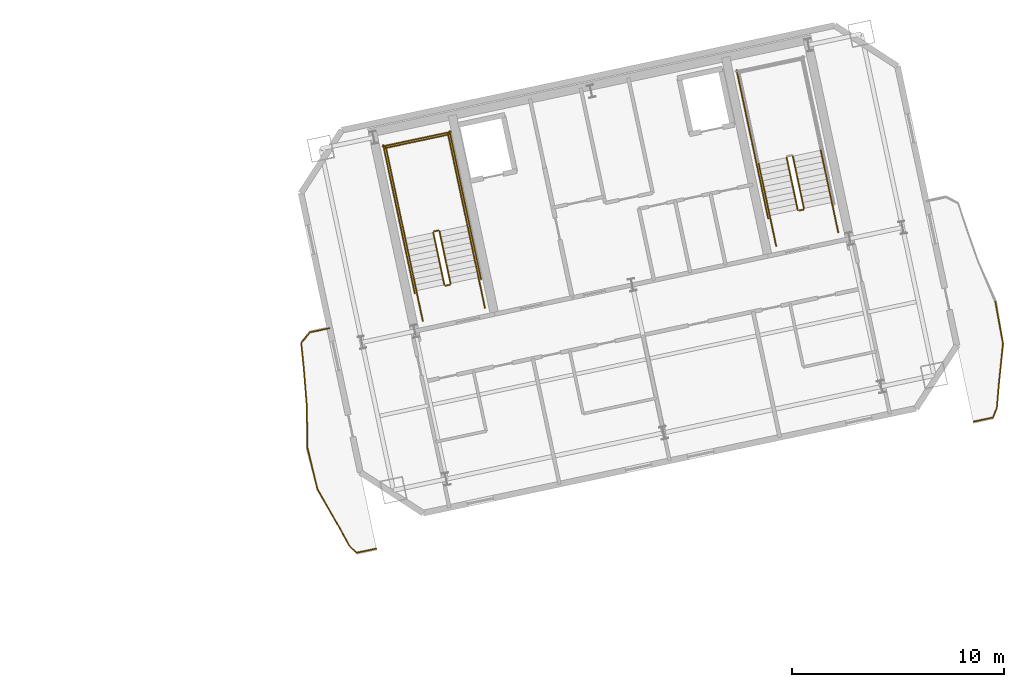
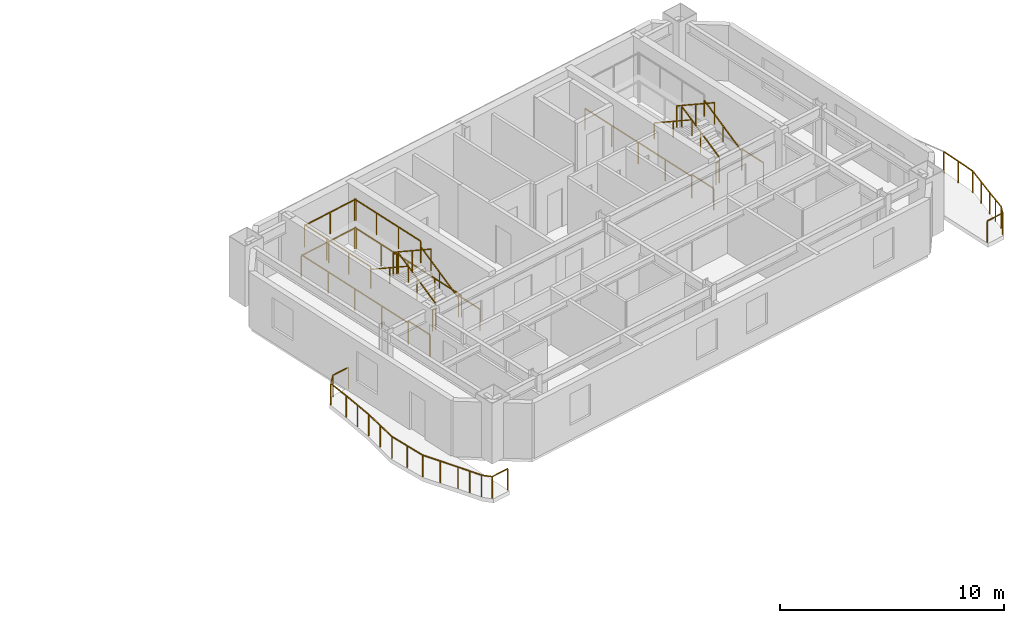
# One storey, part 12 of 13: 37 railings.
"""IFC4 building model written with IfcOpenShell, lengths in metres."""

from ifc_helpers import new_model, si_unit, direction, frame, origin, origin_2d, place, context, subcontext, project, spatial, rectangle, extrude, material, type_object, element, save


model = new_model("IFC4")

# Units and contexts
model_context = context("Model", 3, precision=1e-05, world=origin(), true_north=direction((0.0, 1.0)))
body_context = subcontext(model_context, "Body", "Model", "MODEL_VIEW")
ifc_project = project(units=[si_unit("LENGTHUNIT", "METRE"), si_unit("AREAUNIT", "SQUARE_METRE"), si_unit("VOLUMEUNIT", "CUBIC_METRE"), si_unit("PLANEANGLEUNIT", "RADIAN"), si_unit("MASSUNIT", "GRAM", prefix="KILO")], contexts=[model_context])

# Site, building, storey
site_placement = place(None, origin())
site = spatial("IfcSite", under=ifc_project, at=site_placement, CompositionType="ELEMENT")
building_placement = place(site_placement, origin())
building = spatial("IfcBuilding", under=site, at=building_placement, Name="Haevon Station Towers", CompositionType="ELEMENT")
storey_placement = place(building_placement, frame((0.0, 0.0, 222.0)))
storey = spatial("IfcBuildingStorey", under=building, at=storey_placement, Name="L61", CompositionType="ELEMENT", Elevation=222.0)

# Railings
ifc_material = material(Name="Steel S355", Category="steel")
railing_type_1 = type_object("IfcRailingType", Name="GRD-EXT1200", PredefinedType="GUARDRAIL", material=ifc_material)
railing_1_placement = place(storey_placement, frame((94.71142578125, 37.58251953125, 0.0)))
element("IfcRailing", 1, at=railing_1_placement, inside=storey, type_object=railing_type_1, Name="L61 Perimeter Guardrail 1", PredefinedType="GUARDRAIL", context=body_context, shape_type="SweptSolid", body=[
    extrude(rectangle(XDim=0.048095703125, YDim=0.048095703125, at=origin_2d()), frame((0.0, 0.0, 1.17578125), z_axis=(-0.977684892297, -0.210076774952, 0.0), x_axis=(0.210076774952, -0.977684892297, 0.0)), (0.0, 0.0, 1.0), 0.943603515625),
    extrude(rectangle(XDim=0.0419921875, YDim=0.0419921875, at=origin_2d()), origin(), (0.0, 0.0, 1.0), 1.15185546875),
    extrude(rectangle(XDim=0.0419921875, YDim=0.0419921875, at=origin_2d()), frame((-0.922607421875, -0.1982421875, 0.0)), (0.0, 0.0, 1.0), 1.15185546875),
])
railing_2_placement = place(storey_placement, frame((93.788818359375, 37.38427734375, 0.0)))
element("IfcRailing", 2, at=railing_2_placement, inside=storey, type_object=railing_type_1, Name="L61 Perimeter Guardrail 2", PredefinedType="GUARDRAIL", context=body_context, shape_type="SweptSolid", body=[
    extrude(rectangle(XDim=0.048095703125, YDim=0.048095703125, at=origin_2d()), frame((0.0, 0.0, 1.17578125), z_axis=(-0.622202546772, -0.782856302773, 0.0), x_axis=(0.782856302773, -0.622202546772, 0.0)), (0.0, 0.0, 1.0), 0.645751953125),
    extrude(rectangle(XDim=0.0419921875, YDim=0.0419921875, at=origin_2d()), origin(), (0.0, 0.0, 1.0), 1.15185546875),
    extrude(rectangle(XDim=0.0419921875, YDim=0.0419921875, at=origin_2d()), frame((-0.40185546875, -0.505615234375, 0.0)), (0.0, 0.0, 1.0), 1.15185546875),
])
railing_3_placement = place(storey_placement, frame((93.386962890625, 36.878662109375, 0.0)))
element("IfcRailing", 3, at=railing_3_placement, inside=storey, type_object=railing_type_1, Name="L61 Perimeter Guardrail 3", PredefinedType="GUARDRAIL", context=body_context, shape_type="SweptSolid", body=[
    extrude(rectangle(XDim=0.048095703125, YDim=0.048095703125, at=origin_2d()), frame((0.0, 0.0, 1.17578125), z_axis=(0.100776535208, -0.994909086274, 0.0), x_axis=(0.994909086274, 0.100776535208, 0.0)), (0.0, 0.0, 1.0), 1.177490234375),
    extrude(rectangle(XDim=0.0419921875, YDim=0.0419921875, at=origin_2d()), origin(), (0.0, 0.0, 1.0), 1.15185546875),
    extrude(rectangle(XDim=0.0419921875, YDim=0.0419921875, at=origin_2d()), frame((0.11865234375, -1.17138671875, 0.0)), (0.0, 0.0, 1.0), 1.15185546875),
])
railing_4_placement = place(storey_placement, frame((93.505615234375, 35.707275390625, 0.0)))
element("IfcRailing", 4, at=railing_4_placement, inside=storey, type_object=railing_type_1, Name="L61 Perimeter Guardrail 4", PredefinedType="GUARDRAIL", context=body_context, shape_type="SweptSolid", body=[
    extrude(rectangle(XDim=0.048095703125, YDim=0.048095703125, at=origin_2d()), frame((0.0, 0.0, 1.17578125), z_axis=(0.080262223302, -0.996773783519, 0.0), x_axis=(0.996773783519, 0.080262223302, 0.0)), (0.0, 0.0, 1.0), 1.76416015625),
    extrude(rectangle(XDim=0.0419921875, YDim=0.0419921875, at=origin_2d()), origin(), (0.0, 0.0, 1.0), 1.15185546875),
    extrude(rectangle(XDim=0.0419921875, YDim=0.0419921875, at=origin_2d()), frame((0.07080078125, -0.87939453125, 0.0)), (0.0, 0.0, 1.0), 1.15185546875),
    extrude(rectangle(XDim=0.0419921875, YDim=0.0419921875, at=origin_2d()), frame((0.1416015625, -1.758544921875, 0.0)), (0.0, 0.0, 1.0), 1.15185546875),
])
railing_5_placement = place(storey_placement, frame((93.647216796875, 33.94873046875, 0.0)))
element("IfcRailing", 5, at=railing_5_placement, inside=storey, type_object=railing_type_1, Name="L61 Perimeter Guardrail 5", PredefinedType="GUARDRAIL", context=body_context, shape_type="SweptSolid", body=[
    extrude(rectangle(XDim=0.048095703125, YDim=0.048095703125, at=origin_2d()), frame((0.0, 0.0, 1.17578125), z_axis=(0.018557729268, -0.999827790514, 0.0), x_axis=(0.999827790514, 0.018557729268, 0.0)), (0.0, 0.0, 1.0), 2.02587890625),
    extrude(rectangle(XDim=0.0419921875, YDim=0.0419921875, at=origin_2d()), origin(), (0.0, 0.0, 1.0), 1.15185546875),
    extrude(rectangle(XDim=0.0419921875, YDim=0.0419921875, at=origin_2d()), frame((0.018798828125, -1.0126953125, 0.0)), (0.0, 0.0, 1.0), 1.15185546875),
    extrude(rectangle(XDim=0.0419921875, YDim=0.0419921875, at=origin_2d()), frame((0.03759765625, -2.025634765625, 0.0)), (0.0, 0.0, 1.0), 1.15185546875),
])
railing_6_placement = place(storey_placement, frame((93.684814453125, 31.923095703125, 0.0)))
element("IfcRailing", 6, at=railing_6_placement, inside=storey, type_object=railing_type_1, Name="L61 Perimeter Guardrail 6", PredefinedType="GUARDRAIL", context=body_context, shape_type="SweptSolid", body=[
    extrude(rectangle(XDim=0.048095703125, YDim=0.048095703125, at=origin_2d()), frame((0.0, 0.0, 1.17578125), z_axis=(0.233535058553, -0.972348382231, 0.0), x_axis=(0.972348382231, 0.233535058553, 0.0)), (0.0, 0.0, 1.0), 1.99365234375),
    extrude(rectangle(XDim=0.0419921875, YDim=0.0419921875, at=origin_2d()), origin(), (0.0, 0.0, 1.0), 1.15185546875),
    extrude(rectangle(XDim=0.0419921875, YDim=0.0419921875, at=origin_2d()), frame((0.23291015625, -0.96923828125, 0.0)), (0.0, 0.0, 1.0), 1.15185546875),
    extrude(rectangle(XDim=0.0419921875, YDim=0.0419921875, at=origin_2d()), frame((0.465576171875, -1.9384765625, 0.0)), (0.0, 0.0, 1.0), 1.15185546875),
])
railing_7_placement = place(storey_placement, frame((94.150390625, 29.984619140625, 0.0)))
element("IfcRailing", 7, at=railing_7_placement, inside=storey, type_object=railing_type_1, Name="L61 Perimeter Guardrail 7", PredefinedType="GUARDRAIL", context=body_context, shape_type="SweptSolid", body=[
    extrude(rectangle(XDim=0.048095703125, YDim=0.048095703125, at=origin_2d()), frame((0.0, 0.0, 1.17578125), z_axis=(0.4963827509, -0.868103775253, 0.0), x_axis=(0.868103775253, 0.4963827509, 0.0)), (0.0, 0.0, 1.0), 1.8330078125),
    extrude(rectangle(XDim=0.0419921875, YDim=0.0419921875, at=origin_2d()), origin(), (0.0, 0.0, 1.0), 1.15185546875),
    extrude(rectangle(XDim=0.0419921875, YDim=0.0419921875, at=origin_2d()), frame((0.455078125, -0.795654296875, 0.0)), (0.0, 0.0, 1.0), 1.15185546875),
    extrude(rectangle(XDim=0.0419921875, YDim=0.0419921875, at=origin_2d()), frame((0.909912109375, -1.59130859375, 0.0)), (0.0, 0.0, 1.0), 1.15185546875),
])
railing_8_placement = place(storey_placement, frame((95.060302734375, 28.393310546875, 0.0)))
element("IfcRailing", 8, at=railing_8_placement, inside=storey, type_object=railing_type_1, Name="L61 Perimeter Guardrail 8", PredefinedType="GUARDRAIL", context=body_context, shape_type="SweptSolid", body=[
    extrude(rectangle(XDim=0.048095703125, YDim=0.048095703125, at=origin_2d()), frame((0.0, 0.0, 1.17578125), z_axis=(0.482248336261, -0.876034555353, 0.0), x_axis=(0.876034555353, 0.482248336261, 0.0)), (0.0, 0.0, 1.0), 1.22265625),
    extrude(rectangle(XDim=0.0419921875, YDim=0.0419921875, at=origin_2d()), origin(), (0.0, 0.0, 1.0), 1.15185546875),
    extrude(rectangle(XDim=0.0419921875, YDim=0.0419921875, at=origin_2d()), frame((0.294921875, -0.53564453125, 0.0)), (0.0, 0.0, 1.0), 1.15185546875),
    extrude(rectangle(XDim=0.0419921875, YDim=0.0419921875, at=origin_2d()), frame((0.589599609375, -1.071044921875, 0.0)), (0.0, 0.0, 1.0), 1.15185546875),
])
railing_9_placement = place(storey_placement, frame((95.64990234375, 27.322265625, 0.0)))
element("IfcRailing", 9, at=railing_9_placement, inside=storey, type_object=railing_type_1, Name="L61 Perimeter Guardrail 9", PredefinedType="GUARDRAIL", context=body_context, shape_type="SweptSolid", body=[
    extrude(rectangle(XDim=0.048095703125, YDim=0.048095703125, at=origin_2d()), frame((0.0, 0.0, 1.17578125), z_axis=(0.712536329819, -0.70163521768, 0.0), x_axis=(0.70163521768, 0.712536329819, 0.0)), (0.0, 0.0, 1.0), 0.49267578125),
    extrude(rectangle(XDim=0.0419921875, YDim=0.0419921875, at=origin_2d()), origin(), (0.0, 0.0, 1.0), 1.15185546875),
    extrude(rectangle(XDim=0.0419921875, YDim=0.0419921875, at=origin_2d()), frame((0.35107421875, -0.345703125, 0.0)), (0.0, 0.0, 1.0), 1.15185546875),
])
railing_10_placement = place(storey_placement, frame((96.0009765625, 26.9765625, 0.0)))
element("IfcRailing", 10, at=railing_10_placement, inside=storey, type_object=railing_type_1, Name="L61 Perimeter Guardrail 10", PredefinedType="GUARDRAIL", context=body_context, shape_type="SweptSolid", body=[
    extrude(rectangle(XDim=0.048095703125, YDim=0.048095703125, at=origin_2d()), frame((0.0, 0.0, 1.17578125), z_axis=(0.97862382912, 0.205658457349, 0.0), x_axis=(-0.205658457349, 0.97862382912, 0.0)), (0.0, 0.0, 1.0), 0.94384765625),
    extrude(rectangle(XDim=0.0419921875, YDim=0.0419921875, at=origin_2d()), origin(), (0.0, 0.0, 1.0), 1.15185546875),
    extrude(rectangle(XDim=0.0419921875, YDim=0.0419921875, at=origin_2d()), frame((0.923583984375, 0.194091796875, 0.0)), (0.0, 0.0, 1.0), 1.15185546875),
])
railing_11_placement = place(storey_placement, frame((125.14111328125, 33.16845703125, 0.0)))
element("IfcRailing", 11, at=railing_11_placement, inside=storey, type_object=railing_type_1, Name="L61 Perimeter Guardrail 1", PredefinedType="GUARDRAIL", context=body_context, shape_type="SweptSolid", body=[
    extrude(rectangle(XDim=0.048095703125, YDim=0.048095703125, at=origin_2d()), frame((0.0, 0.0, 1.17578125), z_axis=(0.97773800114, 0.209829457244, 0.0), x_axis=(-0.209829457244, 0.97773800114, 0.0)), (0.0, 0.0, 1.0), 0.943603515625),
    extrude(rectangle(XDim=0.0419921875, YDim=0.0419921875, at=origin_2d()), origin(), (0.0, 0.0, 1.0), 1.15185546875),
    extrude(rectangle(XDim=0.0419921875, YDim=0.0419921875, at=origin_2d()), frame((0.922607421875, 0.197998046875, 0.0)), (0.0, 0.0, 1.0), 1.15185546875),
])
railing_12_placement = place(storey_placement, frame((126.063720703125, 33.366455078125, 0.0)))
element("IfcRailing", 12, at=railing_12_placement, inside=storey, type_object=railing_type_1, Name="L61 Perimeter Guardrail 2", PredefinedType="GUARDRAIL", context=body_context, shape_type="SweptSolid", body=[
    extrude(rectangle(XDim=0.048095703125, YDim=0.048095703125, at=origin_2d()), frame((0.0, 0.0, 1.17578125), z_axis=(0.365575740895, 0.930781595042, 0.0), x_axis=(-0.930781595042, 0.365575740895, 0.0)), (0.0, 0.0, 1.0), 0.492919921875),
    extrude(rectangle(XDim=0.0419921875, YDim=0.0419921875, at=origin_2d()), origin(), (0.0, 0.0, 1.0), 1.15185546875),
    extrude(rectangle(XDim=0.0419921875, YDim=0.0419921875, at=origin_2d()), frame((0.18017578125, 0.458740234375, 0.0)), (0.0, 0.0, 1.0), 1.15185546875),
])
railing_13_placement = place(storey_placement, frame((126.243896484375, 33.8251953125, 0.0)))
element("IfcRailing", 13, at=railing_13_placement, inside=storey, type_object=railing_type_1, Name="L61 Perimeter Guardrail 3", PredefinedType="GUARDRAIL", context=body_context, shape_type="SweptSolid", body=[
    extrude(rectangle(XDim=0.048095703125, YDim=0.048095703125, at=origin_2d()), frame((0.0, 0.0, 1.17578125), z_axis=(0.084268334153, 0.996443098154, 0.0), x_axis=(-0.996443098154, 0.084268334153, 0.0)), (0.0, 0.0, 1.0), 1.22265625),
    extrude(rectangle(XDim=0.0419921875, YDim=0.0419921875, at=origin_2d()), origin(), (0.0, 0.0, 1.0), 1.15185546875),
    extrude(rectangle(XDim=0.0419921875, YDim=0.0419921875, at=origin_2d()), frame((0.051513671875, 0.609130859375, 0.0)), (0.0, 0.0, 1.0), 1.15185546875),
    extrude(rectangle(XDim=0.0419921875, YDim=0.0419921875, at=origin_2d()), frame((0.10302734375, 1.21826171875, 0.0)), (0.0, 0.0, 1.0), 1.15185546875),
])
railing_14_placement = place(storey_placement, frame((126.346923828125, 35.04345703125, 0.0)))
element("IfcRailing", 14, at=railing_14_placement, inside=storey, type_object=railing_type_1, Name="L61 Perimeter Guardrail 4", PredefinedType="GUARDRAIL", context=body_context, shape_type="SweptSolid", body=[
    extrude(rectangle(XDim=0.048095703125, YDim=0.048095703125, at=origin_2d()), frame((0.0, 0.0, 1.17578125), z_axis=(0.100426789268, 0.994944450709, 0.0), x_axis=(-0.994944450709, 0.100426789268, 0.0)), (0.0, 0.0, 1.0), 1.8330078125),
    extrude(rectangle(XDim=0.0419921875, YDim=0.0419921875, at=origin_2d()), origin(), (0.0, 0.0, 1.0), 1.15185546875),
    extrude(rectangle(XDim=0.0419921875, YDim=0.0419921875, at=origin_2d()), frame((0.092041015625, 0.911865234375, 0.0)), (0.0, 0.0, 1.0), 1.15185546875),
    extrude(rectangle(XDim=0.0419921875, YDim=0.0419921875, at=origin_2d()), frame((0.18408203125, 1.82373046875, 0.0)), (0.0, 0.0, 1.0), 1.15185546875),
])
railing_15_placement = place(storey_placement, frame((126.531005859375, 36.8671875, 0.0)))
element("IfcRailing", 15, at=railing_15_placement, inside=storey, type_object=railing_type_1, Name="L61 Perimeter Guardrail 5", PredefinedType="GUARDRAIL", context=body_context, shape_type="SweptSolid", body=[
    extrude(rectangle(XDim=0.048095703125, YDim=0.048095703125, at=origin_2d()), frame((0.0, 0.0, 1.17578125), z_axis=(-0.182084875325, 0.983282816985, 0.0), x_axis=(-0.983282816985, -0.182084875325, 0.0)), (0.0, 0.0, 1.0), 1.993896484375),
    extrude(rectangle(XDim=0.0419921875, YDim=0.0419921875, at=origin_2d()), origin(), (0.0, 0.0, 1.0), 1.15185546875),
    extrude(rectangle(XDim=0.0419921875, YDim=0.0419921875, at=origin_2d()), frame((-0.181640625, 0.980224609375, 0.0)), (0.0, 0.0, 1.0), 1.15185546875),
    extrude(rectangle(XDim=0.0419921875, YDim=0.0419921875, at=origin_2d()), frame((-0.363037109375, 1.96044921875, 0.0)), (0.0, 0.0, 1.0), 1.15185546875),
])
railing_type_2 = type_object("IfcRailingType", Name="GRD-STR1200", PredefinedType="GUARDRAIL", material=ifc_material)
railing_16_placement = place(storey_placement, frame((100.44140625, 39.69287109375, 0.1650390625)))
element("IfcRailing", 16, at=railing_16_placement, inside=storey, type_object=railing_type_2, Name="L61 ST3 Stair Guard 1", PredefinedType="GUARDRAIL", context=body_context, shape_type="SweptSolid", body=[
    extrude(rectangle(XDim=0.048095703125, YDim=0.048095703125, at=origin_2d()), frame((0.0, 0.0, 1.17578125), z_axis=(-0.179128856099, 0.842723639875, 0.507670877349), x_axis=(-0.978147030254, -0.207914374695, 0.0)), (0.0, 0.0, 1.0), 2.9248046875),
    extrude(rectangle(XDim=0.0419921875, YDim=0.0419921875, at=origin_2d()), origin(), (0.0, 0.0, 1.0), 1.15185546875),
    extrude(rectangle(XDim=0.0419921875, YDim=0.0419921875, at=origin_2d()), frame((-0.261962890625, 1.232421875, 0.742431640625)), (0.0, 0.0, 1.0), 1.15185546875),
    extrude(rectangle(XDim=0.0419921875, YDim=0.0419921875, at=origin_2d()), frame((-0.52392578125, 2.46484375, 1.48486328125)), (0.0, 0.0, 1.0), 1.15185546875),
])
railing_17_placement = place(storey_placement, frame((99.858154296875, 42.1962890625, 1.64990234375)))
element("IfcRailing", 17, at=railing_17_placement, inside=storey, type_object=railing_type_2, Name="L61 ST3 Stair Guard 2", PredefinedType="GUARDRAIL", context=body_context, shape_type="SweptSolid", body=[
    extrude(rectangle(XDim=0.048095703125, YDim=0.048095703125, at=origin_2d()), frame((0.0, 0.0, 1.17578125), z_axis=(-0.977962931203, -0.208778603291, 0.0), x_axis=(0.208778603291, -0.977962931203, 0.0)), (0.0, 0.0, 1.0), 0.199951171875),
    extrude(rectangle(XDim=0.0419921875, YDim=0.0419921875, at=origin_2d()), origin(), (0.0, 0.0, 1.0), 1.15185546875),
    extrude(rectangle(XDim=0.0419921875, YDim=0.0419921875, at=origin_2d()), frame((-0.195556640625, -0.041748046875, 0.0)), (0.0, 0.0, 1.0), 1.15185546875),
])
railing_18_placement = place(storey_placement, frame((101.238037109375, 42.4384765625, 1.64990234375)))
element("IfcRailing", 18, at=railing_18_placement, inside=storey, type_object=railing_type_2, Name="L61 ST3 Stair Guard 3", PredefinedType="GUARDRAIL", context=body_context, shape_type="SweptSolid", body=[
    extrude(rectangle(XDim=0.048095703125, YDim=0.048095703125, at=origin_2d()), frame((0.0, 0.0, 1.17578125), z_axis=(-0.20794048909, 0.978141479029, 0.0), x_axis=(-0.978141479029, -0.20794048909, 0.0)), (0.0, 0.0, 1.0), 4.429931640625),
    extrude(rectangle(XDim=0.0419921875, YDim=0.0419921875, at=origin_2d()), origin(), (0.0, 0.0, 1.0), 1.15185546875),
    extrude(rectangle(XDim=0.0419921875, YDim=0.0419921875, at=origin_2d()), frame((-0.30712890625, 1.4443359375, 0.0)), (0.0, 0.0, 1.0), 1.15185546875),
    extrude(rectangle(XDim=0.0419921875, YDim=0.0419921875, at=origin_2d()), frame((-0.614013671875, 2.888671875, 0.0)), (0.0, 0.0, 1.0), 1.15185546875),
    extrude(rectangle(XDim=0.0419921875, YDim=0.0419921875, at=origin_2d()), frame((-0.921142578125, 4.3330078125, 0.0)), (0.0, 0.0, 1.0), 1.15185546875),
])
railing_19_placement = place(storey_placement, frame((98.303466796875, 41.814697265625, 1.64990234375)))
element("IfcRailing", 19, at=railing_19_placement, inside=storey, type_object=railing_type_2, Name="L61 ST3 Stair Guard 4", PredefinedType="GUARDRAIL", context=body_context, shape_type="SweptSolid", body=[
    extrude(rectangle(XDim=0.048095703125, YDim=0.048095703125, at=origin_2d()), frame((0.0, 0.0, 1.17578125), z_axis=(-0.207876551949, 0.978155069071, 0.0), x_axis=(-0.978155069071, -0.207876551949, 0.0)), (0.0, 0.0, 1.0), 4.429931640625),
    extrude(rectangle(XDim=0.0419921875, YDim=0.0419921875, at=origin_2d()), origin(), (0.0, 0.0, 1.0), 1.15185546875),
    extrude(rectangle(XDim=0.0419921875, YDim=0.0419921875, at=origin_2d()), frame((-0.306884765625, 1.4443359375, 0.0)), (0.0, 0.0, 1.0), 1.15185546875),
    extrude(rectangle(XDim=0.0419921875, YDim=0.0419921875, at=origin_2d()), frame((-0.614013671875, 2.888916015625, 0.0)), (0.0, 0.0, 1.0), 1.15185546875),
    extrude(rectangle(XDim=0.0419921875, YDim=0.0419921875, at=origin_2d()), frame((-0.9208984375, 4.333251953125, 0.0)), (0.0, 0.0, 1.0), 1.15185546875),
])
railing_20_placement = place(storey_placement, frame((100.376220703125, 46.733154296875, 1.64990234375)))
element("IfcRailing", 20, at=railing_20_placement, inside=storey, type_object=railing_type_2, Name="L61 ST3 Stair Guard 5", PredefinedType="GUARDRAIL", context=body_context, shape_type="SweptSolid", body=[
    extrude(rectangle(XDim=0.048095703125, YDim=0.048095703125, at=origin_2d()), frame((0.0, 0.0, 1.17578125), z_axis=(-0.978146839882, -0.207915270313, 0.0), x_axis=(0.207915270313, -0.978146839882, 0.0)), (0.0, 0.0, 1.0), 3.099853515625),
    extrude(rectangle(XDim=0.0419921875, YDim=0.0419921875, at=origin_2d()), origin(), (0.0, 0.0, 1.0), 1.15185546875),
    extrude(rectangle(XDim=0.0419921875, YDim=0.0419921875, at=origin_2d()), frame((-1.51611328125, -0.322265625, 0.0)), (0.0, 0.0, 1.0), 1.15185546875),
    extrude(rectangle(XDim=0.0419921875, YDim=0.0419921875, at=origin_2d()), frame((-3.0322265625, -0.64453125, 0.0)), (0.0, 0.0, 1.0), 1.15185546875),
])
railing_21_placement = place(storey_placement, frame((99.6240234375, 42.09521484375, 1.81494140625)))
element("IfcRailing", 21, at=railing_21_placement, inside=storey, type_object=railing_type_2, Name="L61 ST3 Stair Guard 6", PredefinedType="GUARDRAIL", context=body_context, shape_type="SweptSolid", body=[
    extrude(rectangle(XDim=0.048095703125, YDim=0.048095703125, at=origin_2d()), frame((0.0, 0.0, 1.17578125), z_axis=(0.179121265225, -0.842687928106, 0.507732831485), x_axis=(0.978147030254, 0.207914374695, 0.0)), (0.0, 0.0, 1.0), 2.925048828125),
    extrude(rectangle(XDim=0.0419921875, YDim=0.0419921875, at=origin_2d()), origin(), (0.0, 0.0, 1.0), 1.15185546875),
    extrude(rectangle(XDim=0.0419921875, YDim=0.0419921875, at=origin_2d()), frame((0.261962890625, -1.232421875, 0.74267578125)), (0.0, 0.0, 1.0), 1.15185546875),
    extrude(rectangle(XDim=0.0419921875, YDim=0.0419921875, at=origin_2d()), frame((0.52392578125, -2.46484375, 1.485107421875)), (0.0, 0.0, 1.0), 1.15185546875),
])
railing_22_placement = place(storey_placement, frame((100.40283203125, 39.633544921875, 0.0)))
element("IfcRailing", 22, at=railing_22_placement, inside=storey, type_object=railing_type_2, Name="L61 ST3 Stair Guard 7", PredefinedType="GUARDRAIL", context=body_context, shape_type="SweptSolid", body=[
    extrude(rectangle(XDim=0.048095703125, YDim=0.048095703125, at=origin_2d()), frame((0.0, 0.0, 1.17578125), z_axis=(-0.977962931203, -0.208778603291, 0.0), x_axis=(0.208778603291, -0.977962931203, 0.0)), (0.0, 0.0, 1.0), 0.199951171875),
    extrude(rectangle(XDim=0.0419921875, YDim=0.0419921875, at=origin_2d()), origin(), (0.0, 0.0, 1.0), 1.15185546875),
    extrude(rectangle(XDim=0.0419921875, YDim=0.0419921875, at=origin_2d()), frame((-0.195556640625, -0.041748046875, 0.0)), (0.0, 0.0, 1.0), 1.15185546875),
])
for number, where, name in (
    (23, (102.0634765625, 38.55517578125, 0.0), "L61 ST3 Stair Guard 8"),
    (24, (99.12890625, 37.931396484375, 0.0), "L61 ST3 Stair Guard 9"),
):
    element("IfcRailing", number, at=place(storey_placement, frame(where)), inside=storey, type_object=railing_type_2, Name=name, PredefinedType="GUARDRAIL", context=body_context, shape_type="SweptSolid", body=[
        extrude(rectangle(XDim=0.048095703125, YDim=0.048095703125, at=origin_2d()), frame((0.0, 0.0, 1.17578125), z_axis=(-0.207953405961, 0.978138732977, 0.0), x_axis=(-0.978138732977, -0.207953405961, 0.0)), (0.0, 0.0, 1.0), 1.449951171875),
        extrude(rectangle(XDim=0.0419921875, YDim=0.0419921875, at=origin_2d()), origin(), (0.0, 0.0, 1.0), 1.15185546875),
        extrude(rectangle(XDim=0.0419921875, YDim=0.0419921875, at=origin_2d()), frame((-0.301513671875, 1.418212890625, 0.0)), (0.0, 0.0, 1.0), 1.15185546875),
    ])
railing_23_placement = place(storey_placement, frame((101.88037109375, 39.896484375, 0.0)))
element("IfcRailing", 25, at=railing_23_placement, inside=storey, type_object=railing_type_2, Name="L61 ST3 Stair Guard 10", PredefinedType="GUARDRAIL", context=body_context, shape_type="SweptSolid", body=[
    extrude(rectangle(XDim=0.048095703125, YDim=0.048095703125, at=origin_2d()), frame((0.0, 0.0, 1.17578125), z_axis=(-0.207882442208, 0.978153817261, 0.0), x_axis=(-0.978153817261, -0.207882442208, 0.0)), (0.0, 0.0, 1.0), 7.14990234375),
    extrude(rectangle(XDim=0.0419921875, YDim=0.0419921875, at=origin_2d()), origin(), (0.0, 0.0, 1.0), 1.15185546875),
    extrude(rectangle(XDim=0.0419921875, YDim=0.0419921875, at=origin_2d()), frame((-0.37158203125, 1.74853515625, 0.0)), (0.0, 0.0, 1.0), 1.15185546875),
    extrude(rectangle(XDim=0.0419921875, YDim=0.0419921875, at=origin_2d()), frame((-0.7431640625, 3.496826171875, 0.0)), (0.0, 0.0, 1.0), 1.15185546875),
    extrude(rectangle(XDim=0.0419921875, YDim=0.0419921875, at=origin_2d()), frame((-1.11474609375, 5.2451171875, 0.0)), (0.0, 0.0, 1.0), 1.15185546875),
    extrude(rectangle(XDim=0.0419921875, YDim=0.0419921875, at=origin_2d()), frame((-1.486328125, 6.99365234375, 0.0)), (0.0, 0.0, 1.0), 1.15185546875),
])
railing_24_placement = place(storey_placement, frame((98.75048828125, 39.231201171875, 0.0)))
element("IfcRailing", 26, at=railing_24_placement, inside=storey, type_object=railing_type_2, Name="L61 ST3 Stair Guard 11", PredefinedType="GUARDRAIL", context=body_context, shape_type="SweptSolid", body=[
    extrude(rectangle(XDim=0.048095703125, YDim=0.048095703125, at=origin_2d()), frame((0.0, 0.0, 1.17578125), z_axis=(-0.207915112487, 0.978146873429, 0.0), x_axis=(-0.978146873429, -0.207915112487, 0.0)), (0.0, 0.0, 1.0), 7.14990234375),
    extrude(rectangle(XDim=0.0419921875, YDim=0.0419921875, at=origin_2d()), origin(), (0.0, 0.0, 1.0), 1.15185546875),
    extrude(rectangle(XDim=0.0419921875, YDim=0.0419921875, at=origin_2d()), frame((-0.37158203125, 1.74853515625, 0.0)), (0.0, 0.0, 1.0), 1.15185546875),
    extrude(rectangle(XDim=0.0419921875, YDim=0.0419921875, at=origin_2d()), frame((-0.7431640625, 3.496826171875, 0.0)), (0.0, 0.0, 1.0), 1.15185546875),
    extrude(rectangle(XDim=0.0419921875, YDim=0.0419921875, at=origin_2d()), frame((-1.114990234375, 5.2451171875, 0.0)), (0.0, 0.0, 1.0), 1.15185546875),
    extrude(rectangle(XDim=0.0419921875, YDim=0.0419921875, at=origin_2d()), frame((-1.486572265625, 6.99365234375, 0.0)), (0.0, 0.0, 1.0), 1.15185546875),
])
railing_25_placement = place(storey_placement, frame((100.453125, 46.8515625, 0.0)))
element("IfcRailing", 27, at=railing_25_placement, inside=storey, type_object=railing_type_2, Name="L61 ST3 Stair Guard 12", PredefinedType="GUARDRAIL", context=body_context, shape_type="SweptSolid", body=[
    extrude(rectangle(XDim=0.048095703125, YDim=0.048095703125, at=origin_2d()), frame((0.0, 0.0, 1.17578125), z_axis=(-0.978150764849, -0.207896804268, 0.0), x_axis=(0.207896804268, -0.978150764849, 0.0)), (0.0, 0.0, 1.0), 3.2998046875),
    extrude(rectangle(XDim=0.0419921875, YDim=0.0419921875, at=origin_2d()), origin(), (0.0, 0.0, 1.0), 1.15185546875),
    extrude(rectangle(XDim=0.0419921875, YDim=0.0419921875, at=origin_2d()), frame((-1.61376953125, -0.343017578125, 0.0)), (0.0, 0.0, 1.0), 1.15185546875),
    extrude(rectangle(XDim=0.0419921875, YDim=0.0419921875, at=origin_2d()), frame((-3.227783203125, -0.68603515625, 0.0)), (0.0, 0.0, 1.0), 1.15185546875),
])
railing_26_placement = place(storey_placement, frame((117.128662109375, 43.23974609375, 0.1650390625)))
element("IfcRailing", 28, at=railing_26_placement, inside=storey, type_object=railing_type_2, Name="L61 ST4 Stair Guard 1", PredefinedType="GUARDRAIL", context=body_context, shape_type="SweptSolid", body=[
    extrude(rectangle(XDim=0.048095703125, YDim=0.048095703125, at=origin_2d()), frame((0.0, 0.0, 1.17578125), z_axis=(-0.179128856099, 0.842723639875, 0.507670877349), x_axis=(-0.978147030254, -0.207914374695, 0.0)), (0.0, 0.0, 1.0), 2.9248046875),
    extrude(rectangle(XDim=0.0419921875, YDim=0.0419921875, at=origin_2d()), origin(), (0.0, 0.0, 1.0), 1.15185546875),
    extrude(rectangle(XDim=0.0419921875, YDim=0.0419921875, at=origin_2d()), frame((-0.261962890625, 1.232421875, 0.742431640625)), (0.0, 0.0, 1.0), 1.15185546875),
    extrude(rectangle(XDim=0.0419921875, YDim=0.0419921875, at=origin_2d()), frame((-0.52392578125, 2.46484375, 1.48486328125)), (0.0, 0.0, 1.0), 1.15185546875),
])
railing_27_placement = place(storey_placement, frame((116.311279296875, 45.642333984375, 1.81494140625)))
element("IfcRailing", 29, at=railing_27_placement, inside=storey, type_object=railing_type_2, Name="L61 ST4 Stair Guard 6", PredefinedType="GUARDRAIL", context=body_context, shape_type="SweptSolid", body=[
    extrude(rectangle(XDim=0.048095703125, YDim=0.048095703125, at=origin_2d()), frame((0.0, 0.0, 1.17578125), z_axis=(0.179108667068, -0.842712120868, 0.50769712105), x_axis=(0.978151217824, 0.207894673017, 0.0)), (0.0, 0.0, 1.0), 2.92529296875),
    extrude(rectangle(XDim=0.0419921875, YDim=0.0419921875, at=origin_2d()), origin(), (0.0, 0.0, 1.0), 1.15185546875),
    extrude(rectangle(XDim=0.0419921875, YDim=0.0419921875, at=origin_2d()), frame((0.261962890625, -1.232421875, 0.74267578125)), (0.0, 0.0, 1.0), 1.15185546875),
    extrude(rectangle(XDim=0.0419921875, YDim=0.0419921875, at=origin_2d()), frame((0.52392578125, -2.465087890625, 1.485107421875)), (0.0, 0.0, 1.0), 1.15185546875),
])
railing_28_placement = place(storey_placement, frame((117.090087890625, 43.180419921875, 0.0)))
element("IfcRailing", 30, at=railing_28_placement, inside=storey, type_object=railing_type_2, Name="L61 ST4 Stair Guard 7", PredefinedType="GUARDRAIL", context=body_context, shape_type="SweptSolid", body=[
    extrude(rectangle(XDim=0.048095703125, YDim=0.048095703125, at=origin_2d()), frame((0.0, 0.0, 1.17578125), z_axis=(-0.978211583308, -0.207610448392, 0.0), x_axis=(0.207610448392, -0.978211583308, 0.0)), (0.0, 0.0, 1.0), 0.199951171875),
    extrude(rectangle(XDim=0.0419921875, YDim=0.0419921875, at=origin_2d()), origin(), (0.0, 0.0, 1.0), 1.15185546875),
    extrude(rectangle(XDim=0.0419921875, YDim=0.0419921875, at=origin_2d()), frame((-0.195556640625, -0.04150390625, 0.0)), (0.0, 0.0, 1.0), 1.15185546875),
])
for number, where, name in (
    (31, (118.75048828125, 42.10205078125, 0.0), "L61 ST4 Stair Guard 8"),
    (32, (115.816162109375, 41.478271484375, 0.0), "L61 ST4 Stair Guard 9"),
):
    element("IfcRailing", number, at=place(storey_placement, frame(where)), inside=storey, type_object=railing_type_2, Name=name, PredefinedType="GUARDRAIL", context=body_context, shape_type="SweptSolid", body=[
        extrude(rectangle(XDim=0.048095703125, YDim=0.048095703125, at=origin_2d()), frame((0.0, 0.0, 1.17578125), z_axis=(-0.207919161079, 0.978146012851, 0.0), x_axis=(-0.978146012851, -0.207919161079, 0.0)), (0.0, 0.0, 1.0), 1.4501953125),
        extrude(rectangle(XDim=0.0419921875, YDim=0.0419921875, at=origin_2d()), origin(), (0.0, 0.0, 1.0), 1.15185546875),
        extrude(rectangle(XDim=0.0419921875, YDim=0.0419921875, at=origin_2d()), frame((-0.301513671875, 1.41845703125, 0.0)), (0.0, 0.0, 1.0), 1.15185546875),
    ])
railing_29_placement = place(storey_placement, frame((115.4375, 42.778076171875, 0.0)))
element("IfcRailing", 33, at=railing_29_placement, inside=storey, type_object=railing_type_2, Name="L61 ST4 Stair Guard 11", PredefinedType="GUARDRAIL", context=body_context, shape_type="SweptSolid", body=[
    extrude(rectangle(XDim=0.048095703125, YDim=0.048095703125, at=origin_2d()), frame((0.0, 0.0, 1.17578125), z_axis=(-0.207882442208, 0.978153817261, 0.0), x_axis=(-0.978153817261, -0.207882442208, 0.0)), (0.0, 0.0, 1.0), 7.14990234375),
    extrude(rectangle(XDim=0.0419921875, YDim=0.0419921875, at=origin_2d()), origin(), (0.0, 0.0, 1.0), 1.15185546875),
    extrude(rectangle(XDim=0.0419921875, YDim=0.0419921875, at=origin_2d()), frame((-0.37158203125, 1.74853515625, 0.0)), (0.0, 0.0, 1.0), 1.15185546875),
    extrude(rectangle(XDim=0.0419921875, YDim=0.0419921875, at=origin_2d()), frame((-0.7431640625, 3.496826171875, 0.0)), (0.0, 0.0, 1.0), 1.15185546875),
    extrude(rectangle(XDim=0.0419921875, YDim=0.0419921875, at=origin_2d()), frame((-1.11474609375, 5.2451171875, 0.0)), (0.0, 0.0, 1.0), 1.15185546875),
    extrude(rectangle(XDim=0.0419921875, YDim=0.0419921875, at=origin_2d()), frame((-1.486328125, 6.99365234375, 0.0)), (0.0, 0.0, 1.0), 1.15185546875),
])
railing_type_3 = type_object("IfcRailingType", Name="HND-STR900", PredefinedType="HANDRAIL", material=ifc_material)
railing_30_placement = place(storey_placement, frame((101.761962890625, 39.973388671875, 0.1650390625)))
element("IfcRailing", 34, at=railing_30_placement, inside=storey, type_object=railing_type_3, Name="L61 ST3 Stair Handrail 1", PredefinedType="HANDRAIL", context=body_context, shape_type="SweptSolid", body=[
    extrude(rectangle(XDim=0.048095703125, YDim=0.048095703125, at=origin_2d()), frame((0.0, 0.0, 0.8759765625), z_axis=(-0.179116256339, 0.842747828638, 0.507635168246), x_axis=(-0.978151217824, -0.207894673017, 0.0)), (0.0, 0.0, 1.0), 2.925048828125),
    extrude(rectangle(XDim=0.0419921875, YDim=0.0419921875, at=origin_2d()), origin(), (0.0, 0.0, 1.0), 0.851806640625),
    extrude(rectangle(XDim=0.0419921875, YDim=0.0419921875, at=origin_2d()), frame((-0.261962890625, 1.232421875, 0.742431640625)), (0.0, 0.0, 1.0), 0.851806640625),
    extrude(rectangle(XDim=0.0419921875, YDim=0.0419921875, at=origin_2d()), frame((-0.52392578125, 2.465087890625, 1.48486328125)), (0.0, 0.0, 1.0), 0.851806640625),
])
railing_31_placement = place(storey_placement, frame((98.303466796875, 41.814697265625, 1.81494140625)))
element("IfcRailing", 35, at=railing_31_placement, inside=storey, type_object=railing_type_3, Name="L61 ST3 Stair Handrail 2", PredefinedType="HANDRAIL", context=body_context, shape_type="SweptSolid", body=[
    extrude(rectangle(XDim=0.048095703125, YDim=0.048095703125, at=origin_2d()), frame((0.0, 0.0, 0.8759765625), z_axis=(0.179108667068, -0.842712120868, 0.50769712105), x_axis=(0.978151217824, 0.207894673017, 0.0)), (0.0, 0.0, 1.0), 2.92529296875),
    extrude(rectangle(XDim=0.0419921875, YDim=0.0419921875, at=origin_2d()), origin(), (0.0, 0.0, 1.0), 0.851806640625),
    extrude(rectangle(XDim=0.0419921875, YDim=0.0419921875, at=origin_2d()), frame((0.261962890625, -1.232421875, 0.74267578125)), (0.0, 0.0, 1.0), 0.851806640625),
    extrude(rectangle(XDim=0.0419921875, YDim=0.0419921875, at=origin_2d()), frame((0.52392578125, -2.465087890625, 1.485107421875)), (0.0, 0.0, 1.0), 0.851806640625),
])
railing_32_placement = place(storey_placement, frame((118.448974609375, 43.5205078125, 0.1650390625)))
element("IfcRailing", 36, at=railing_32_placement, inside=storey, type_object=railing_type_3, Name="L61 ST4 Stair Handrail 1", PredefinedType="HANDRAIL", context=body_context, shape_type="SweptSolid", body=[
    extrude(rectangle(XDim=0.048095703125, YDim=0.048095703125, at=origin_2d()), frame((0.0, 0.0, 0.8759765625), z_axis=(-0.179128856099, 0.842723639875, 0.507670877349), x_axis=(-0.978147030254, -0.207914374695, 0.0)), (0.0, 0.0, 1.0), 2.9248046875),
    extrude(rectangle(XDim=0.0419921875, YDim=0.0419921875, at=origin_2d()), origin(), (0.0, 0.0, 1.0), 0.851806640625),
    extrude(rectangle(XDim=0.0419921875, YDim=0.0419921875, at=origin_2d()), frame((-0.261962890625, 1.232421875, 0.742431640625)), (0.0, 0.0, 1.0), 0.851806640625),
    extrude(rectangle(XDim=0.0419921875, YDim=0.0419921875, at=origin_2d()), frame((-0.52392578125, 2.46484375, 1.48486328125)), (0.0, 0.0, 1.0), 0.851806640625),
])
railing_33_placement = place(storey_placement, frame((114.99072265625, 45.361572265625, 1.81494140625)))
element("IfcRailing", 37, at=railing_33_placement, inside=storey, type_object=railing_type_3, Name="L61 ST4 Stair Handrail 2", PredefinedType="HANDRAIL", context=body_context, shape_type="SweptSolid", body=[
    extrude(rectangle(XDim=0.048095703125, YDim=0.048095703125, at=origin_2d()), frame((0.0, 0.0, 0.8759765625), z_axis=(0.179121265225, -0.842687928106, 0.507732831485), x_axis=(0.978147030254, 0.207914374695, 0.0)), (0.0, 0.0, 1.0), 2.925048828125),
    extrude(rectangle(XDim=0.0419921875, YDim=0.0419921875, at=origin_2d()), origin(), (0.0, 0.0, 1.0), 0.851806640625),
    extrude(rectangle(XDim=0.0419921875, YDim=0.0419921875, at=origin_2d()), frame((0.261962890625, -1.232421875, 0.74267578125)), (0.0, 0.0, 1.0), 0.851806640625),
    extrude(rectangle(XDim=0.0419921875, YDim=0.0419921875, at=origin_2d()), frame((0.52392578125, -2.46484375, 1.485107421875)), (0.0, 0.0, 1.0), 0.851806640625),
])

save(model, "model.ifc")
